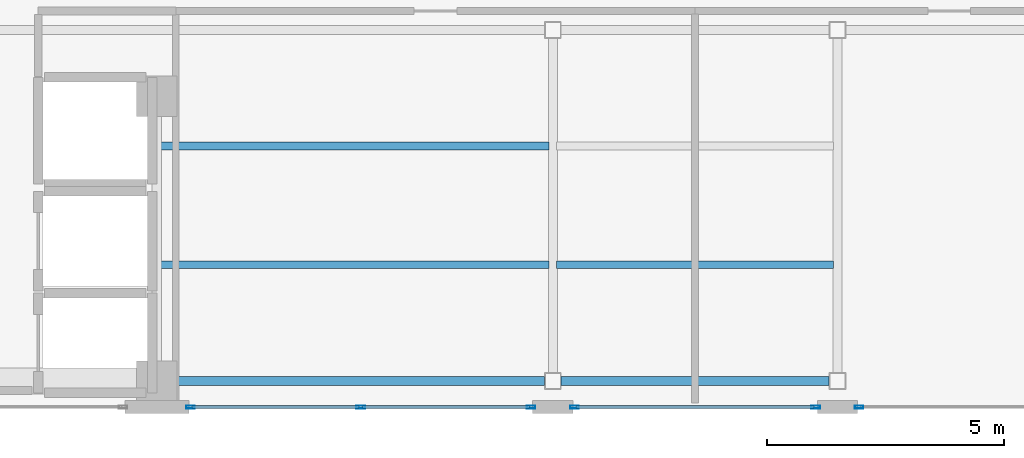
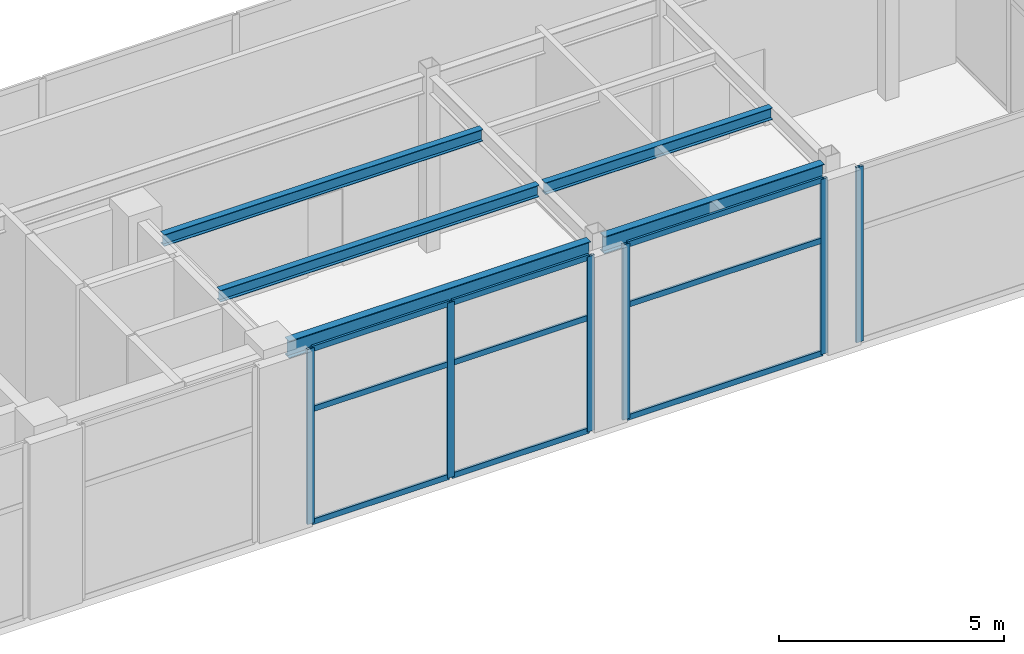
# One storey, part 6 of 12: 15 members, 5 beams, 3 elements without a shape of their own.
"""IFC4 building model written with IfcOpenShell, lengths in metres."""

from ifc_helpers import new_model, si_unit, direction, frame, origin, origin_2d, place, context, subcontext, project, spatial, hollow_rectangle, i_section, extrude, material, layer, layer_set, material_profile, profile_set, type_object, element, aggregate, save


model = new_model("IFC4")

# Units and contexts
model_context = context("Model", 3, precision=1e-05, world=origin(), true_north=direction((0.0, 1.0)))
body_context = subcontext(model_context, "Body", "Model", "MODEL_VIEW")
ifc_project = project(units=[si_unit("LENGTHUNIT", "METRE"), si_unit("AREAUNIT", "SQUARE_METRE"), si_unit("VOLUMEUNIT", "CUBIC_METRE"), si_unit("PLANEANGLEUNIT", "RADIAN"), si_unit("MASSUNIT", "GRAM", prefix="KILO")], contexts=[model_context])

# Site, building, storey
site_placement = place(None, origin())
site = spatial("IfcSite", under=ifc_project, at=site_placement, CompositionType="ELEMENT")
building_placement = place(site_placement, origin())
building = spatial("IfcBuilding", under=site, at=building_placement, Name="Mawjaban Terraces University", CompositionType="ELEMENT")
storey_placement = place(building_placement, frame((0.0, 0.0, 321.699951171875)))
storey = spatial("IfcBuildingStorey", under=building, at=storey_placement, Name="L78", CompositionType="ELEMENT", Elevation=321.699951171875)

# Beams
ifc_material_1 = material(Name="Steel ASTM A572 Grade 50", Category="steel")
ifc_material_profile_1 = material_profile(ifc_material_1, i_section(OverallWidth=0.194091796875, OverallDepth=0.468994140625, WebThickness=0.011474609375, FlangeThickness=0.0205078125, at=origin_2d()), Name="W460X106")
ifc_profile_set_1 = profile_set([ifc_material_profile_1], Name="Steel ASTM A572 Grade 50")
beam_type_1 = type_object("IfcBeamType", Name="Beam_B_W460X106", PredefinedType="BEAM", material=ifc_profile_set_1)
beam_1_placement = place(storey_placement, frame((38.074951171875, 0.550048828125, 4.525146484375), z_axis=(1.0, 0.0, 0.0), x_axis=(0.0, 1.0, 0.0)))
element("IfcBeam", 1, at=beam_1_placement, inside=storey, type_object=beam_type_1, Name="L78 Beam BM-L78-EW-02", PredefinedType="BEAM", context=body_context, shape_type="SweptSolid", body=[
    extrude(i_section(OverallWidth=0.194091796875, OverallDepth=0.468994140625, WebThickness=0.011474609375, FlangeThickness=0.0205078125, at=origin_2d()), origin(), (0.0, 0.0, 1.0), 7.75),
])
beam_2_placement = place(storey_placement, frame((46.175048828125, 0.550048828125, 4.525146484375), z_axis=(1.0, 0.0, 0.0), x_axis=(0.0, 1.0, 0.0)))
element("IfcBeam", 2, at=beam_2_placement, inside=storey, type_object=beam_type_1, Name="L78 Beam BM-L78-EW-03", PredefinedType="BEAM", context=body_context, shape_type="SweptSolid", body=[
    extrude(i_section(OverallWidth=0.194091796875, OverallDepth=0.468994140625, WebThickness=0.011474609375, FlangeThickness=0.0205078125, at=origin_2d()), origin(), (0.0, 0.0, 1.0), 5.64990234375),
])
ifc_material_profile_2 = material_profile(ifc_material_1, i_section(OverallWidth=0.1669921875, OverallDepth=0.318115234375, WebThickness=0.007568359375, FlangeThickness=0.01318359375, at=origin_2d()), Name="W310X52")
ifc_profile_set_2 = profile_set([ifc_material_profile_2], Name="Steel ASTM A572 Grade 50")
beam_type_2 = type_object("IfcBeamType", Name="Beam_J_W310X52", PredefinedType="JOIST", material=ifc_profile_set_2)
beam_3_placement = place(storey_placement, frame((37.72998046875, 3.0, 4.60107421875), z_axis=(1.0, 0.0, 0.0), x_axis=(0.0, 1.0, 0.0)))
element("IfcBeam", 3, at=beam_3_placement, inside=storey, type_object=beam_type_2, Name="L78 Composite Joist JST-L78-01", PredefinedType="JOIST", context=body_context, shape_type="SweptSolid", body=[
    extrude(i_section(OverallWidth=0.1669921875, OverallDepth=0.318115234375, WebThickness=0.007568359375, FlangeThickness=0.01318359375, at=origin_2d()), origin(), (0.0, 0.0, 1.0), 8.18994140625),
])
beam_4_placement = place(storey_placement, frame((46.080078125, 3.0, 4.60107421875), z_axis=(1.0, 0.0, 0.0), x_axis=(0.0, 1.0, 0.0)))
element("IfcBeam", 4, at=beam_4_placement, inside=storey, type_object=beam_type_2, Name="L78 Composite Joist JST-L78-02", PredefinedType="JOIST", context=body_context, shape_type="SweptSolid", body=[
    extrude(i_section(OverallWidth=0.1669921875, OverallDepth=0.318115234375, WebThickness=0.007568359375, FlangeThickness=0.01318359375, at=origin_2d()), origin(), (0.0, 0.0, 1.0), 5.83984375),
])
beam_5_placement = place(storey_placement, frame((37.72998046875, 5.5, 4.60107421875), z_axis=(1.0, 0.0, 0.0), x_axis=(0.0, 1.0, 0.0)))
element("IfcBeam", 5, at=beam_5_placement, inside=storey, type_object=beam_type_2, Name="L78 Composite Joist JST-L78-03", PredefinedType="JOIST", context=body_context, shape_type="SweptSolid", body=[
    extrude(i_section(OverallWidth=0.1669921875, OverallDepth=0.318115234375, WebThickness=0.007568359375, FlangeThickness=0.01318359375, at=origin_2d()), origin(), (0.0, 0.0, 1.0), 8.18994140625),
])

# Curtain wall, members
ifc_material_2 = material(Name="Anodised aluminium 6063-T6 and solar-control low-E glass", Category="aluminium")
ifc_layer = layer(ifc_material_2, 0.199951171875)
ifc_layer_set = layer_set([ifc_layer], Name="Anodised aluminium 6063-T6 and solar-control low-E glass")
curtain_wall_type = type_object("IfcCurtainWallType", Name="CWSystem_06_ObservationCrown", PredefinedType="NOTDEFINED", material=ifc_layer_set)
curtain_wall_1_placement = place(storey_placement, origin())
curtain_wall_1 = element("IfcCurtainWall", 6, at=curtain_wall_1_placement, inside=storey, type_object=curtain_wall_type, Name="L78 Curtain Wall CW-06 Run 1.3", PredefinedType="NOTDEFINED")
ifc_material_3 = material(Name="Anodised aluminium 6063-T6", Category="aluminium")
ifc_material_profile_3 = material_profile(ifc_material_3, hollow_rectangle(XDim=0.06494140625, YDim=0.179931640625, WallThickness=0.00390625, at=origin_2d()), Name="ALU180X65X4")
ifc_profile_set_3 = profile_set([ifc_material_profile_3], Name="Anodised aluminium 6063-T6")
member_type_1 = type_object("IfcMemberType", Name="Mullion_CW-06", PredefinedType="MULLION", material=ifc_profile_set_3)
member_1_placement = place(storey_placement, frame((38.357421875, 0.0, 0.0), z_axis=(0.0, 0.0, 1.0), x_axis=(0.0, 1.0, 0.0)))
member_1 = element("IfcMember", 7, at=member_1_placement, type_object=member_type_1, Name="CW-06 mullion 1", PredefinedType="MULLION", context=body_context, shape_type="SweptSolid", body=[
    extrude(hollow_rectangle(XDim=0.06494140625, YDim=0.179931640625, WallThickness=0.00390625, at=origin_2d()), origin(), (0.0, 0.0, 1.0), 4.760009765625),
])
member_2_placement = place(storey_placement, frame((41.949951171875, 0.0, 0.0), z_axis=(0.0, 0.0, 1.0), x_axis=(0.0, 1.0, 0.0)))
member_2 = element("IfcMember", 8, at=member_2_placement, type_object=member_type_1, Name="CW-06 mullion 2", PredefinedType="MULLION", context=body_context, shape_type="SweptSolid", body=[
    extrude(hollow_rectangle(XDim=0.06494140625, YDim=0.179931640625, WallThickness=0.00390625, at=origin_2d()), origin(), (0.0, 0.0, 1.0), 4.760009765625),
])
member_3_placement = place(storey_placement, frame((45.54248046875, 0.0, 0.0), z_axis=(0.0, 0.0, 1.0), x_axis=(0.0, 1.0, 0.0)))
member_3 = element("IfcMember", 9, at=member_3_placement, type_object=member_type_1, Name="CW-06 mullion 3", PredefinedType="MULLION", context=body_context, shape_type="SweptSolid", body=[
    extrude(hollow_rectangle(XDim=0.06494140625, YDim=0.179931640625, WallThickness=0.00390625, at=origin_2d()), origin(), (0.0, 0.0, 1.0), 4.760009765625),
])

curtain_wall_2_placement = place(storey_placement, origin())
curtain_wall_2 = element("IfcCurtainWall", 10, at=curtain_wall_2_placement, inside=storey, type_object=curtain_wall_type, Name="L78 Curtain Wall CW-06 Run 1.4", PredefinedType="NOTDEFINED")
member_4_placement = place(storey_placement, frame((46.45751953125, 0.0, 0.0), z_axis=(0.0, 0.0, 1.0), x_axis=(0.0, 1.0, 0.0)))
member_4 = element("IfcMember", 11, at=member_4_placement, type_object=member_type_1, Name="CW-06 mullion 1", PredefinedType="MULLION", context=body_context, shape_type="SweptSolid", body=[
    extrude(hollow_rectangle(XDim=0.06494140625, YDim=0.179931640625, WallThickness=0.00390625, at=origin_2d()), origin(), (0.0, 0.0, 1.0), 4.760009765625),
])
member_5_placement = place(storey_placement, frame((51.54248046875, 0.0, 0.0), z_axis=(0.0, 0.0, 1.0), x_axis=(0.0, 1.0, 0.0)))
member_5 = element("IfcMember", 12, at=member_5_placement, type_object=member_type_1, Name="CW-06 mullion 2", PredefinedType="MULLION", context=body_context, shape_type="SweptSolid", body=[
    extrude(hollow_rectangle(XDim=0.06494140625, YDim=0.179931640625, WallThickness=0.00390625, at=origin_2d()), origin(), (0.0, 0.0, 1.0), 4.760009765625),
])

# Curtain wall, member
curtain_wall_3_placement = place(storey_placement, origin())
curtain_wall_3 = element("IfcCurtainWall", 13, at=curtain_wall_3_placement, inside=storey, type_object=curtain_wall_type, Name="L78 Curtain Wall CW-06 Run 1.5", PredefinedType="NOTDEFINED")
member_6_placement = place(storey_placement, frame((52.45751953125, 0.0, 0.0), z_axis=(0.0, 0.0, 1.0), x_axis=(0.0, 1.0, 0.0)))
member_6 = element("IfcMember", 14, at=member_6_placement, type_object=member_type_1, Name="CW-06 mullion 1", PredefinedType="MULLION", context=body_context, shape_type="SweptSolid", body=[
    extrude(hollow_rectangle(XDim=0.06494140625, YDim=0.179931640625, WallThickness=0.00390625, at=origin_2d()), origin(), (0.0, 0.0, 1.0), 4.760009765625),
])
aggregate(curtain_wall_3, [member_6])

# Member
ifc_material_profile_4 = material_profile(ifc_material_3, hollow_rectangle(XDim=0.06005859375, YDim=0.14990234375, WallThickness=0.00390625, at=origin_2d()), Name="ALU150X60X4")
ifc_profile_set_4 = profile_set([ifc_material_profile_4], Name="Anodised aluminium 6063-T6")
member_type_2 = type_object("IfcMemberType", Name="Transom_CW-06", PredefinedType="NOTDEFINED", material=ifc_profile_set_4)
member_7_placement = place(storey_placement, frame((38.389892578125, 0.0, 0.030029296875), z_axis=(1.0, 0.0, 0.0), x_axis=(0.0, 1.0, 0.0)))
member_7 = element("IfcMember", 15, at=member_7_placement, type_object=member_type_2, Name="CW-06 transom 1.1", ObjectType="TRANSOM", PredefinedType="USERDEFINED", context=body_context, shape_type="SweptSolid", body=[
    extrude(hollow_rectangle(XDim=0.06005859375, YDim=0.14990234375, WallThickness=0.00390625, at=origin_2d()), origin(), (0.0, 0.0, 1.0), 3.527587890625),
])

member_8_placement = place(storey_placement, frame((38.389892578125, 0.0, 3.093994140625), z_axis=(1.0, 0.0, 0.0), x_axis=(0.0, 1.0, 0.0)))
member_8 = element("IfcMember", 16, at=member_8_placement, type_object=member_type_2, Name="CW-06 transom 1.2", ObjectType="TRANSOM", PredefinedType="USERDEFINED", context=body_context, shape_type="SweptSolid", body=[
    extrude(hollow_rectangle(XDim=0.06005859375, YDim=0.14990234375, WallThickness=0.00390625, at=origin_2d()), origin(), (0.0, 0.0, 1.0), 3.527587890625),
])

member_9_placement = place(storey_placement, frame((38.389892578125, 0.0, 4.72998046875), z_axis=(1.0, 0.0, 0.0), x_axis=(0.0, 1.0, 0.0)))
member_9 = element("IfcMember", 17, at=member_9_placement, type_object=member_type_2, Name="CW-06 transom 1.3", ObjectType="TRANSOM", PredefinedType="USERDEFINED", context=body_context, shape_type="SweptSolid", body=[
    extrude(hollow_rectangle(XDim=0.06005859375, YDim=0.14990234375, WallThickness=0.00390625, at=origin_2d()), origin(), (0.0, 0.0, 1.0), 3.527587890625),
])

member_10_placement = place(storey_placement, frame((41.982421875, 0.0, 0.030029296875), z_axis=(1.0, 0.0, 0.0), x_axis=(0.0, 1.0, 0.0)))
member_10 = element("IfcMember", 18, at=member_10_placement, type_object=member_type_2, Name="CW-06 transom 2.1", ObjectType="TRANSOM", PredefinedType="USERDEFINED", context=body_context, shape_type="SweptSolid", body=[
    extrude(hollow_rectangle(XDim=0.06005859375, YDim=0.14990234375, WallThickness=0.00390625, at=origin_2d()), origin(), (0.0, 0.0, 1.0), 3.527587890625),
])

member_11_placement = place(storey_placement, frame((41.982421875, 0.0, 3.093994140625), z_axis=(1.0, 0.0, 0.0), x_axis=(0.0, 1.0, 0.0)))
member_11 = element("IfcMember", 19, at=member_11_placement, type_object=member_type_2, Name="CW-06 transom 2.2", ObjectType="TRANSOM", PredefinedType="USERDEFINED", context=body_context, shape_type="SweptSolid", body=[
    extrude(hollow_rectangle(XDim=0.06005859375, YDim=0.14990234375, WallThickness=0.00390625, at=origin_2d()), origin(), (0.0, 0.0, 1.0), 3.527587890625),
])

member_12_placement = place(storey_placement, frame((41.982421875, 0.0, 4.72998046875), z_axis=(1.0, 0.0, 0.0), x_axis=(0.0, 1.0, 0.0)))
member_12 = element("IfcMember", 20, at=member_12_placement, type_object=member_type_2, Name="CW-06 transom 2.3", ObjectType="TRANSOM", PredefinedType="USERDEFINED", context=body_context, shape_type="SweptSolid", body=[
    extrude(hollow_rectangle(XDim=0.06005859375, YDim=0.14990234375, WallThickness=0.00390625, at=origin_2d()), origin(), (0.0, 0.0, 1.0), 3.527587890625),
])

aggregate(curtain_wall_1, [member_1, member_2, member_3, member_7, member_8, member_9, member_10, member_11, member_12])

member_13_placement = place(storey_placement, frame((46.489990234375, 0.0, 0.030029296875), z_axis=(1.0, 0.0, 0.0), x_axis=(0.0, 1.0, 0.0)))
member_13 = element("IfcMember", 21, at=member_13_placement, type_object=member_type_2, Name="CW-06 transom 1.1", ObjectType="TRANSOM", PredefinedType="USERDEFINED", context=body_context, shape_type="SweptSolid", body=[
    extrude(hollow_rectangle(XDim=0.06005859375, YDim=0.14990234375, WallThickness=0.00390625, at=origin_2d()), origin(), (0.0, 0.0, 1.0), 5.02001953125),
])

member_14_placement = place(storey_placement, frame((46.489990234375, 0.0, 3.093994140625), z_axis=(1.0, 0.0, 0.0), x_axis=(0.0, 1.0, 0.0)))
member_14 = element("IfcMember", 22, at=member_14_placement, type_object=member_type_2, Name="CW-06 transom 1.2", ObjectType="TRANSOM", PredefinedType="USERDEFINED", context=body_context, shape_type="SweptSolid", body=[
    extrude(hollow_rectangle(XDim=0.06005859375, YDim=0.14990234375, WallThickness=0.00390625, at=origin_2d()), origin(), (0.0, 0.0, 1.0), 5.02001953125),
])

member_15_placement = place(storey_placement, frame((46.489990234375, 0.0, 4.72998046875), z_axis=(1.0, 0.0, 0.0), x_axis=(0.0, 1.0, 0.0)))
member_15 = element("IfcMember", 23, at=member_15_placement, type_object=member_type_2, Name="CW-06 transom 1.3", ObjectType="TRANSOM", PredefinedType="USERDEFINED", context=body_context, shape_type="SweptSolid", body=[
    extrude(hollow_rectangle(XDim=0.06005859375, YDim=0.14990234375, WallThickness=0.00390625, at=origin_2d()), origin(), (0.0, 0.0, 1.0), 5.02001953125),
])

aggregate(curtain_wall_2, [member_4, member_5, member_13, member_14, member_15])

save(model, "model.ifc")
